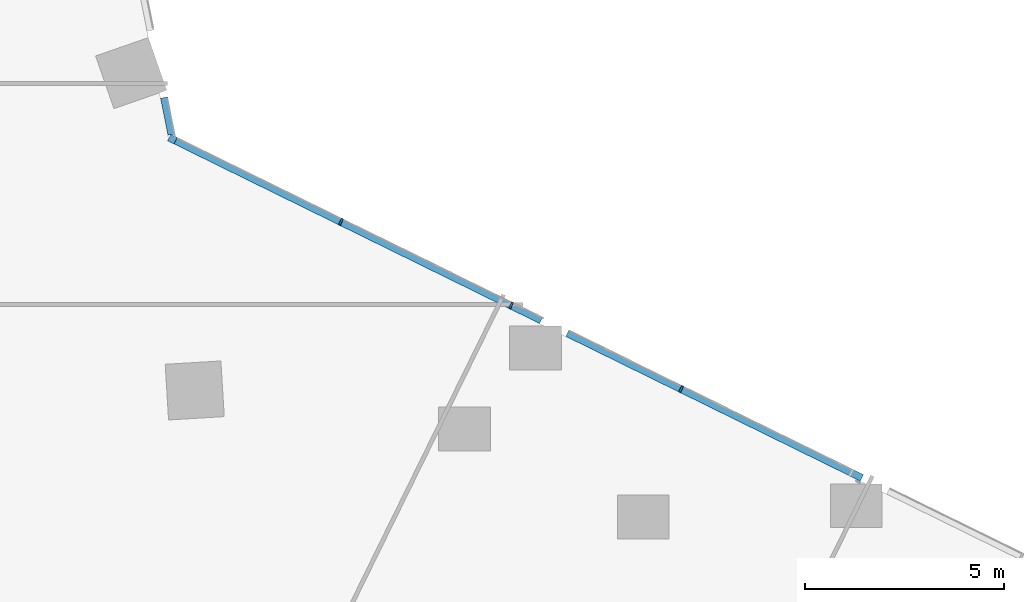
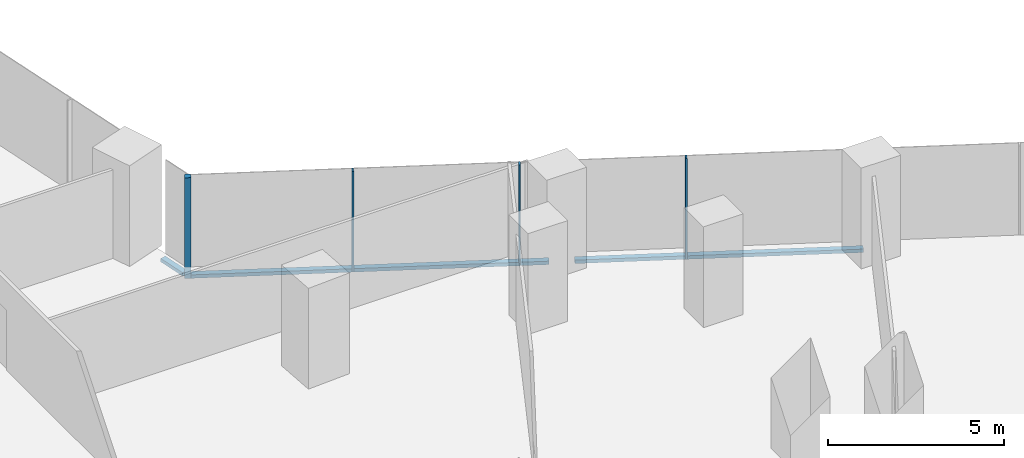
# One storey, part 11 of 38: 7 members, 2 elements without a shape of their own.
"""IFC4 building model written with IfcOpenShell, lengths in metres."""

from ifc_helpers import new_model, si_unit, direction, frame, origin, origin_2d, place, context, subcontext, project, spatial, rectangle, extrude, material, material_profile, profile_set, type_object, element, aggregate, save


model = new_model("IFC4")

# Units and contexts
model_context = context("Model", 3, precision=1e-05, world=origin(), true_north=direction((0.0, 1.0)))
body_context = subcontext(model_context, "Body", "Model", "MODEL_VIEW")
ifc_project = project(units=[si_unit("LENGTHUNIT", "METRE"), si_unit("AREAUNIT", "SQUARE_METRE"), si_unit("VOLUMEUNIT", "CUBIC_METRE"), si_unit("PLANEANGLEUNIT", "RADIAN"), si_unit("MASSUNIT", "GRAM", prefix="KILO")], contexts=[model_context])

# Site, building, storey
site_placement = place(None, origin())
site = spatial("IfcSite", under=ifc_project, at=site_placement, CompositionType="ELEMENT")
building_placement = place(site_placement, origin())
building = spatial("IfcBuilding", under=site, at=building_placement, Name="Orlundy Tower", CompositionType="ELEMENT")
storey_placement = place(building_placement, frame((0.0, 0.0, 65.800048828125)))
storey = spatial("IfcBuildingStorey", under=building, at=storey_placement, Name="L15", CompositionType="ELEMENT", Elevation=65.800048828125)

# Curtain wall, members
ifc_material_1 = material(Name="Aluminium bronze anodised", Category="aluminium")
curtain_wall_type = type_object("IfcCurtainWallType", Name="CW1 wall", PredefinedType="NOTDEFINED", material=ifc_material_1)
curtain_wall_1_placement = place(storey_placement, origin())
curtain_wall_1 = element("IfcCurtainWall", 1, at=curtain_wall_1_placement, inside=storey, type_object=curtain_wall_type, Name="CW1 run 018", PredefinedType="NOTDEFINED")
ifc_material_2 = material(Name="Aluminium bronze anodised", Category="aluminium")
ifc_material_profile_1 = material_profile(ifc_material_2, rectangle(XDim=0.179931640625, YDim=0.179931640625, at=origin_2d()), Name="CW1 corner post 180x180")
ifc_profile_set_1 = profile_set([ifc_material_profile_1], Name="Aluminium bronze anodised")
member_type_1 = type_object("IfcMemberType", Name="CW1 corner post 180x180", PredefinedType="MULLION", material=ifc_profile_set_1)
member_1_placement = place(storey_placement, frame((29.064453125, 8.103271484375, -0.400146484375), z_axis=(0.0, 0.0, 1.0), x_axis=(0.440978180969, 0.897517823728, 0.0)))
member_1 = element("IfcMember", 2, at=member_1_placement, type_object=member_type_1, Name="CW1 mullion 51", PredefinedType="MULLION", context=body_context, shape_type="SweptSolid", body=[
    extrude(rectangle(XDim=0.179931640625, YDim=0.179931640625, at=origin_2d()), origin(), (0.0, 0.0, 1.0), 3.5),
])
ifc_material_3 = material(Name="Aluminium bronze anodised", Category="aluminium")
ifc_material_profile_2 = material_profile(ifc_material_3, rectangle(XDim=0.179931640625, YDim=0.050048828125, at=origin_2d()), Name="CW1 mullion 50x180")
ifc_profile_set_2 = profile_set([ifc_material_profile_2], Name="Aluminium bronze anodised")
member_type_2 = type_object("IfcMemberType", Name="CW1 mullion 50x180", PredefinedType="MULLION", material=ifc_profile_set_2)
member_2_placement = place(storey_placement, frame((33.292724609375, 6.02587890625, -0.400146484375), z_axis=(0.0, 0.0, 1.0), x_axis=(0.440978180969, 0.897517823728, 0.0)))
member_2 = element("IfcMember", 3, at=member_2_placement, type_object=member_type_2, Name="CW1 mullion 52", PredefinedType="MULLION", context=body_context, shape_type="SweptSolid", body=[
    extrude(rectangle(XDim=0.179931640625, YDim=0.050048828125, at=origin_2d()), origin(), (0.0, 0.0, 1.0), 3.5),
])
member_3_placement = place(storey_placement, frame((37.560791015625, 3.9287109375, -0.400146484375), z_axis=(0.0, 0.0, 1.0), x_axis=(0.440978180969, 0.897517823728, 0.0)))
member_3 = element("IfcMember", 4, at=member_3_placement, type_object=member_type_2, Name="CW1 mullion 53", PredefinedType="MULLION", context=body_context, shape_type="SweptSolid", body=[
    extrude(rectangle(XDim=0.179931640625, YDim=0.050048828125, at=origin_2d()), origin(), (0.0, 0.0, 1.0), 3.5),
])
member_4_placement = place(storey_placement, frame((41.82861328125, 1.831787109375, -0.400146484375), z_axis=(0.0, 0.0, 1.0), x_axis=(0.440978180969, 0.897517823728, 0.0)))
member_4 = element("IfcMember", 5, at=member_4_placement, type_object=member_type_2, Name="CW1 mullion 54", PredefinedType="MULLION", context=body_context, shape_type="SweptSolid", body=[
    extrude(rectangle(XDim=0.179931640625, YDim=0.050048828125, at=origin_2d()), origin(), (0.0, 0.0, 1.0), 3.5),
])

# Curtain wall, member
curtain_wall_2_placement = place(storey_placement, origin())
curtain_wall_2 = element("IfcCurtainWall", 6, at=curtain_wall_2_placement, inside=storey, type_object=curtain_wall_type, Name="CW1 run 017", PredefinedType="NOTDEFINED")
ifc_material_4 = material(Name="Aluminium bronze anodised", Category="aluminium")
ifc_material_profile_3 = material_profile(ifc_material_4, rectangle(XDim=0.179931640625, YDim=0.1201171875, at=origin_2d()), Name="CW1 transom 180x120")
ifc_profile_set_3 = profile_set([ifc_material_profile_3], Name="Aluminium bronze anodised")
member_type_3 = type_object("IfcMemberType", Name="CW1 transom 180x120", PredefinedType="USERDEFINED", material=ifc_profile_set_3)
member_5_placement = place(storey_placement, frame((28.85546875, 9.145751953125, -0.340087890625), z_axis=(0.196610354456, -0.980481702288, 0.0), x_axis=(0.980481702288, 0.196610354456, 0.0)))
member_5 = element("IfcMember", 7, at=member_5_placement, type_object=member_type_3, Name="CW1 transom", ObjectType="TRANSOM", PredefinedType="USERDEFINED", context=body_context, shape_type="SweptSolid", body=[
    extrude(rectangle(XDim=0.179931640625, YDim=0.1201171875, at=origin_2d()), origin(), (0.0, 0.0, 1.0), 0.949951171875),
])
aggregate(curtain_wall_2, [member_5])

# Member
member_6_placement = place(storey_placement, frame((29.145263671875, 8.0634765625, -0.340087890625), z_axis=(0.897522132366, -0.44096941154, 0.0), x_axis=(0.44096941154, 0.897522132366, 0.0)))
member_6 = element("IfcMember", 8, at=member_6_placement, type_object=member_type_3, Name="CW1 transom", ObjectType="TRANSOM", PredefinedType="USERDEFINED", context=body_context, shape_type="SweptSolid", body=[
    extrude(rectangle(XDim=0.179931640625, YDim=0.1201171875, at=origin_2d()), origin(), (0.0, 0.0, 1.0), 10.21484375),
])

member_7_placement = place(storey_placement, frame((38.972900390625, 3.23486328125, -0.340087890625), z_axis=(0.897519729751, -0.44097430164, 0.0), x_axis=(0.44097430164, 0.897519729751, 0.0)))
member_7 = element("IfcMember", 9, at=member_7_placement, type_object=member_type_3, Name="CW1 transom", ObjectType="TRANSOM", PredefinedType="USERDEFINED", context=body_context, shape_type="SweptSolid", body=[
    extrude(rectangle(XDim=0.179931640625, YDim=0.1201171875, at=origin_2d()), origin(), (0.0, 0.0, 1.0), 8.2314453125),
])

aggregate(curtain_wall_1, [member_1, member_2, member_3, member_4, member_6, member_7])

save(model, "model.ifc")
